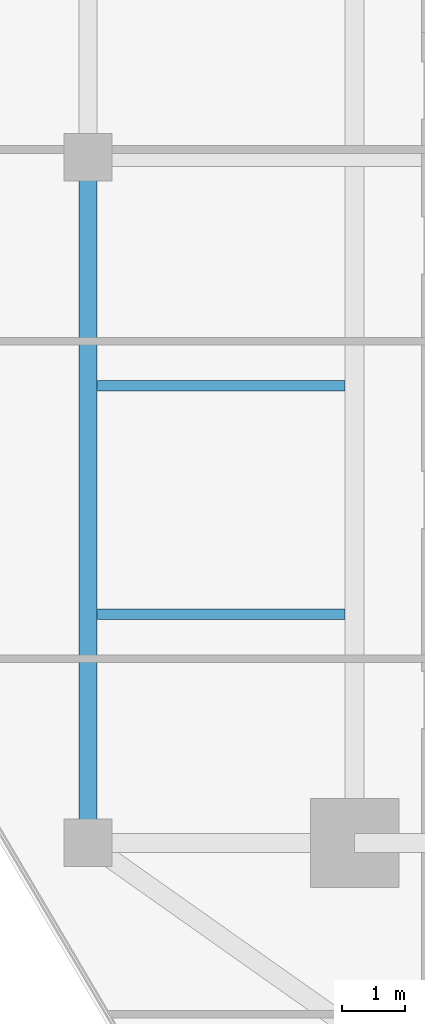
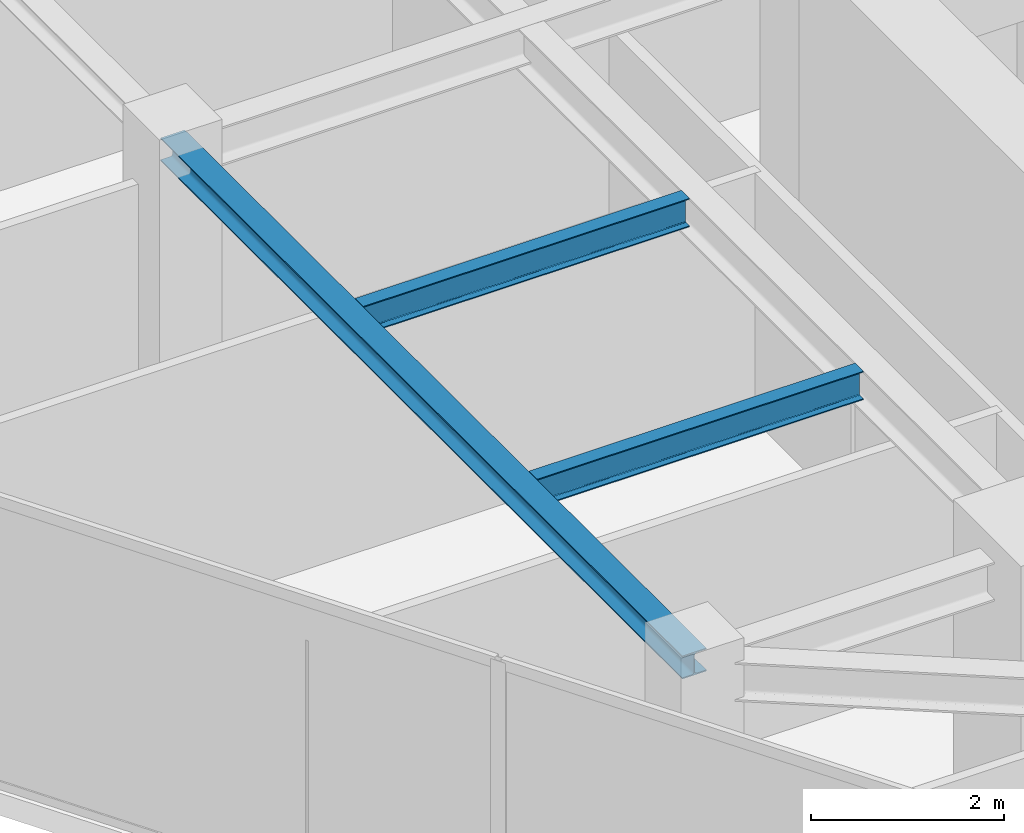
# One storey, part 5 of 20: 3 beams.
"""IFC4 building model written with IfcOpenShell, lengths in metres."""

from ifc_helpers import new_model, si_unit, direction, frame, origin, origin_2d, place, context, subcontext, project, spatial, i_section, extrude, source, transform, mapped, material, material_profile, profile_set, type_object, type_shapes, element, save


model = new_model("IFC4")

# Units and contexts
model_context = context("Model", 3, precision=1e-05, world=origin(), true_north=direction((0.0, 1.0)))
body_context = subcontext(model_context, "Body", "Model", "MODEL_VIEW")
ifc_project = project(units=[si_unit("LENGTHUNIT", "METRE"), si_unit("AREAUNIT", "SQUARE_METRE"), si_unit("VOLUMEUNIT", "CUBIC_METRE"), si_unit("PLANEANGLEUNIT", "RADIAN"), si_unit("MASSUNIT", "GRAM", prefix="KILO")], contexts=[model_context])

# Site, building, storey
site_placement = place(None, origin())
site = spatial("IfcSite", under=ifc_project, at=site_placement, CompositionType="ELEMENT")
building_placement = place(site_placement, origin())
building = spatial("IfcBuilding", under=site, at=building_placement, Name="Krantzveldt Concourse Tower", CompositionType="ELEMENT")
storey_placement = place(building_placement, frame((0.0, 0.0, 295.050048828125)))
storey = spatial("IfcBuildingStorey", under=building, at=storey_placement, Name="L72", CompositionType="ELEMENT", Elevation=295.050048828125)

# Beams
ifc_material = material(Name="Steel S355JR", Category="steel")
ifc_material_profile_1 = material_profile(ifc_material, i_section(OverallWidth=0.2900390625, OverallDepth=0.2900390625, WebThickness=0.008544921875, FlangeThickness=0.013916015625, FilletRadius=0.027099609375, at=origin_2d()), Name="Steel S355JR", Category="steel")
ifc_profile_set_1 = profile_set([ifc_material_profile_1], Name="Steel S355JR - HEA 300")
beam_type_1 = type_object("IfcBeamType", Name="BM-SP-HEA300", PredefinedType="SPANDREL", material=ifc_profile_set_1)
shared_shape_1 = source(origin(), body_context, "Body", "SweptSolid", [
    extrude(i_section(OverallWidth=0.2900390625, OverallDepth=0.2900390625, WebThickness=0.008544921875, FlangeThickness=0.013916015625, FilletRadius=0.027099609375, at=origin_2d()), origin(), (0.0, 0.0, 1.0), 10.800048828125),
])
type_shapes(beam_type_1, [shared_shape_1])
beam_placement = place(storey_placement, frame((21.0, 15.89990234375, 3.52490234375), z_axis=(0.0, 1.0, 0.0), x_axis=(-1.0, 0.0, 0.0)))
element("IfcBeam", 1, at=beam_placement, inside=storey, type_object=beam_type_1, Name="L72 Tower Girder SP-R01", PredefinedType="SPANDREL", context=body_context, shape_type="MappedRepresentation", body=[
    mapped(shared_shape_1, transform((0.0, 0.0, 0.0), x_axis=(1.0, 0.0, 0.0), y_axis=(0.0, 1.0, 0.0), z_axis=(0.0, 0.0, 1.0), scale=1.0)),
])
ifc_material_profile_2 = material_profile(ifc_material, i_section(OverallWidth=0.169921875, OverallDepth=0.360107421875, WebThickness=0.008056640625, FlangeThickness=0.0126953125, FilletRadius=0.01806640625, at=origin_2d()), Name="Steel S355JR", Category="steel")
ifc_profile_set_2 = profile_set([ifc_material_profile_2], Name="Steel S355JR - IPE 360")
beam_type_2 = type_object("IfcBeamType", Name="BM-J-IPE360", PredefinedType="JOIST", material=ifc_profile_set_2)
shared_shape_2 = source(origin(), body_context, "Body", "SweptSolid", [
    extrude(i_section(OverallWidth=0.169921875, OverallDepth=0.360107421875, WebThickness=0.008056640625, FlangeThickness=0.0126953125, FilletRadius=0.01806640625, at=origin_2d()), origin(), (0.0, 0.0, 1.0), 3.900146484375),
])
type_shapes(beam_type_2, [shared_shape_2])
for number, where, z_axis, x_axis, name in (
    (2, (21.14990234375, 19.5, 3.489990234375), (1.0, 0.0, 0.0), (0.0, 1.0, 0.0), "L72 Secondary Floor Joist JW-1"),
    (3, (21.14990234375, 23.10009765625, 3.489990234375), (1.0, 0.0, 0.0), (0.0, 1.0, 0.0), "L72 Secondary Floor Joist JW-2"),
):
    element("IfcBeam", number, at=place(storey_placement, frame(where, z_axis=z_axis, x_axis=x_axis)), inside=storey, type_object=beam_type_2, Name=name, PredefinedType="JOIST", context=body_context, shape_type="MappedRepresentation", body=[
        mapped(shared_shape_2, transform((0.0, 0.0, 0.0), x_axis=(1.0, 0.0, 0.0), y_axis=(0.0, 1.0, 0.0), z_axis=(0.0, 0.0, 1.0), scale=1.0)),
    ])

save(model, "model.ifc")
